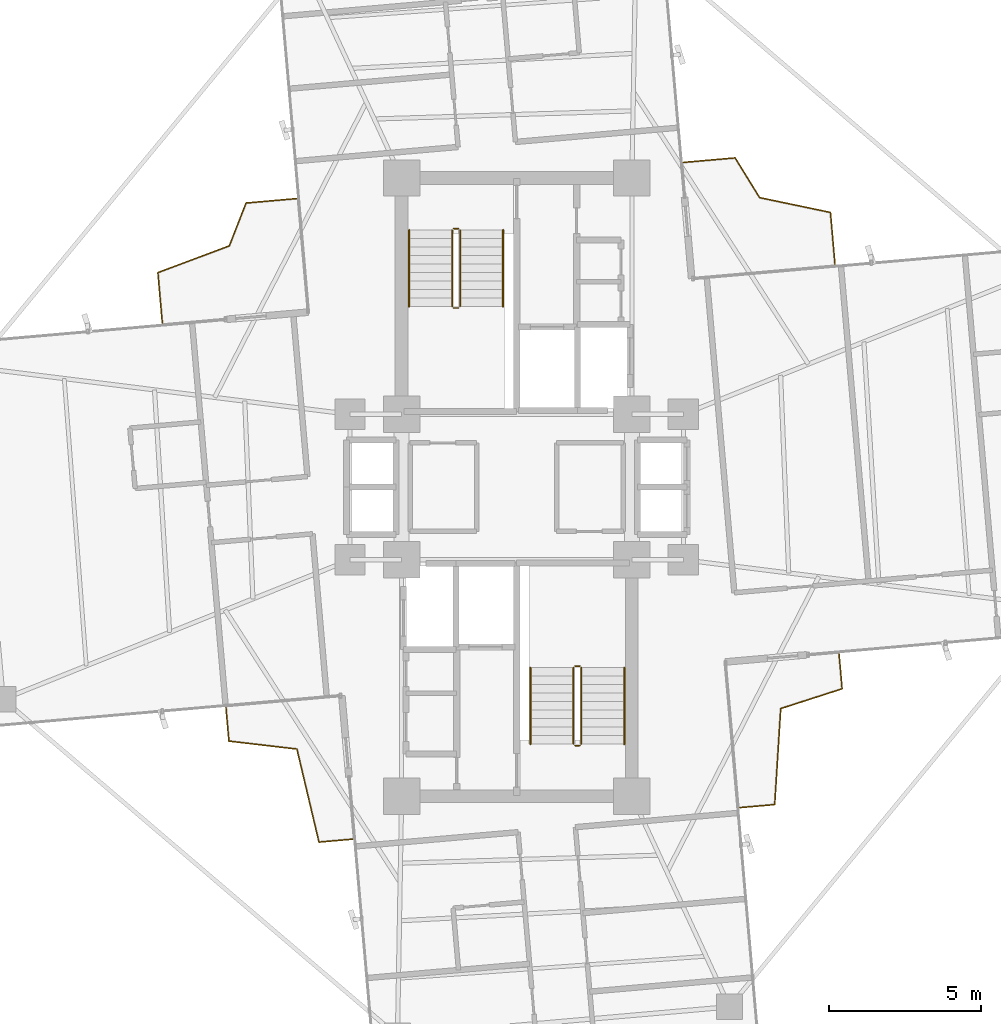
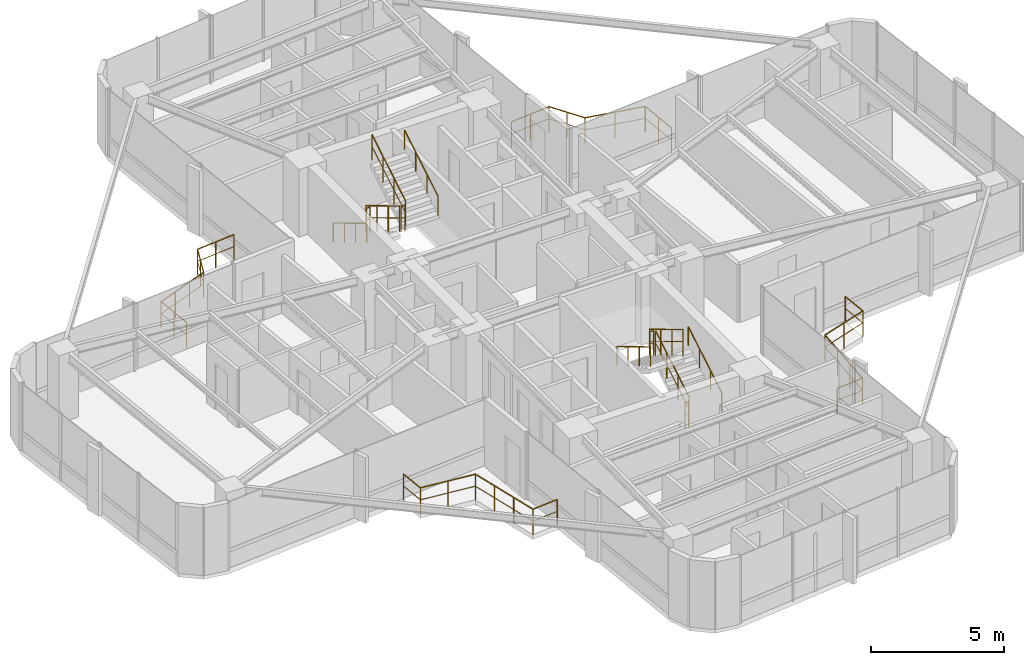
# One storey, part 24 of 24: 16 railings.
"""IFC4 building model written with IfcOpenShell, lengths in metres."""

from ifc_helpers import new_model, si_unit, direction, frame, origin, origin_2d, place, context, subcontext, project, spatial, circle, extrude, material, type_object, element, save


model = new_model("IFC4")

# Units and contexts
model_context = context("Model", 3, precision=1e-05, world=origin(), true_north=direction((0.0, 1.0)))
body_context = subcontext(model_context, "Body", "Model", "MODEL_VIEW")
ifc_project = project(units=[si_unit("LENGTHUNIT", "METRE"), si_unit("AREAUNIT", "SQUARE_METRE"), si_unit("VOLUMEUNIT", "CUBIC_METRE"), si_unit("PLANEANGLEUNIT", "RADIAN"), si_unit("MASSUNIT", "GRAM", prefix="KILO")], contexts=[model_context])

# Site, building, storey
site_placement = place(None, origin())
site = spatial("IfcSite", under=ifc_project, at=site_placement, CompositionType="ELEMENT")
building_placement = place(site_placement, origin())
building = spatial("IfcBuilding", under=site, at=building_placement, Name="Sahyath Konkavel Grand Hotel", CompositionType="ELEMENT")
storey_placement = place(building_placement, frame((0.0, 0.0, 181.89990234375)))
storey = spatial("IfcBuildingStorey", under=building, at=storey_placement, Name="L50", CompositionType="ELEMENT", Elevation=181.89990234375)

# Railings
ifc_material_1 = material(Name="Anodised Bronze Aluminium", Category="aluminium")
railing_type_1 = type_object("IfcRailingType", Name="RLG-BALC-1200", PredefinedType="GUARDRAIL", material=ifc_material_1)
railing_1_placement = place(storey_placement, frame((10.504150390625, 7.353515625, 0.0)))
element("IfcRailing", 1, at=railing_1_placement, inside=storey, type_object=railing_type_1, Name="L50 Winter-Garden Guard NE", PredefinedType="GUARDRAIL", context=body_context, shape_type="SweptSolid", body=[
    extrude(circle(Radius=0.02392578125, at=origin_2d()), frame((-0.000244140625, 0.001953125, 1.17578125), z_axis=(-0.087163422501, 0.996194026171, 0.0), x_axis=(-0.996194026171, -0.087163422501, 0.0)), (0.0, 0.0, 1.0), 1.712890625),
    extrude(circle(Radius=0.01416015625, at=origin_2d()), frame((-0.000244140625, 0.001953125, 0.6240234375), z_axis=(-0.087163422501, 0.996194026171, 0.0), x_axis=(-0.996194026171, -0.087163422501, 0.0)), (0.0, 0.0, 1.0), 1.712890625),
    extrude(circle(Radius=0.02392578125, at=origin_2d()), frame((-0.151611328125, 1.7109375, 1.17578125), z_axis=(-0.978829681282, 0.204676464308, 0.0), x_axis=(-0.204676464308, -0.978829681282, 0.0)), (0.0, 0.0, 1.0), 2.38525390625),
    extrude(circle(Radius=0.01416015625, at=origin_2d()), frame((-0.151611328125, 1.7109375, 0.6240234375), z_axis=(-0.978829681282, 0.204676464308, 0.0), x_axis=(-0.204676464308, -0.978829681282, 0.0)), (0.0, 0.0, 1.0), 2.38525390625),
    extrude(circle(Radius=0.02392578125, at=origin_2d()), frame((-2.4892578125, 2.201171875, 1.17578125), z_axis=(-0.524689685964, 0.851293564784, 0.0), x_axis=(-0.851293564784, -0.524689685964, 0.0)), (0.0, 0.0, 1.0), 1.53662109375),
    extrude(circle(Radius=0.01416015625, at=origin_2d()), frame((-2.4892578125, 2.201171875, 0.6240234375), z_axis=(-0.524689685964, 0.851293564784, 0.0), x_axis=(-0.851293564784, -0.524689685964, 0.0)), (0.0, 0.0, 1.0), 1.53662109375),
    extrude(circle(Radius=0.02392578125, at=origin_2d()), frame((-3.298583984375, 3.5107421875, 1.17578125), z_axis=(-0.996194026171, -0.087163422501, 0.0), x_axis=(0.087163422501, -0.996194026171, 0.0)), (0.0, 0.0, 1.0), 1.712890625),
    extrude(circle(Radius=0.01416015625, at=origin_2d()), frame((-3.298583984375, 3.5107421875, 0.6240234375), z_axis=(-0.996194026171, -0.087163422501, 0.0), x_axis=(0.087163422501, -0.996194026171, 0.0)), (0.0, 0.0, 1.0), 1.712890625),
    extrude(circle(Radius=0.02099609375, at=origin_2d()), origin(), (0.0, 0.0, 1.0), 1.15185546875),
    extrude(circle(Radius=0.02099609375, at=origin_2d()), frame((-0.07470703125, 0.855224609375, 0.0)), (0.0, 0.0, 1.0), 1.15185546875),
    extrude(circle(Radius=0.02099609375, at=origin_2d()), frame((-0.149658203125, 1.71044921875, 0.0)), (0.0, 0.0, 1.0), 1.15185546875),
    extrude(circle(Radius=0.02099609375, at=origin_2d()), frame((-1.31884765625, 1.955078125, 0.0)), (0.0, 0.0, 1.0), 1.15185546875),
    extrude(circle(Radius=0.02099609375, at=origin_2d()), frame((-2.48828125, 2.199462890625, 0.0)), (0.0, 0.0, 1.0), 1.15185546875),
    extrude(circle(Radius=0.02099609375, at=origin_2d()), frame((-2.892578125, 2.855224609375, 0.0)), (0.0, 0.0, 1.0), 1.15185546875),
    extrude(circle(Radius=0.02099609375, at=origin_2d()), frame((-3.296630859375, 3.510986328125, 0.0)), (0.0, 0.0, 1.0), 1.15185546875),
    extrude(circle(Radius=0.02099609375, at=origin_2d()), frame((-4.15185546875, 3.43603515625, 0.0)), (0.0, 0.0, 1.0), 1.15185546875),
    extrude(circle(Radius=0.02099609375, at=origin_2d()), frame((-5.007080078125, 3.361328125, 0.0)), (0.0, 0.0, 1.0), 1.15185546875),
])
railing_2_placement = place(storey_placement, frame((-7.267578125, 9.52099609375, 0.0)))
element("IfcRailing", 2, at=railing_2_placement, inside=storey, type_object=railing_type_1, Name="L50 Winter-Garden Guard NW", PredefinedType="GUARDRAIL", context=body_context, shape_type="SweptSolid", body=[
    extrude(circle(Radius=0.02392578125, at=origin_2d()), frame((-0.001953125, -0.000244140625, 1.17578125), z_axis=(-0.996184524255, -0.087271952169, 0.0), x_axis=(0.087271952169, -0.996184524255, 0.0)), (0.0, 0.0, 1.0), 1.6689453125),
    extrude(circle(Radius=0.01416015625, at=origin_2d()), frame((-0.001953125, -0.000244140625, 0.6240234375), z_axis=(-0.996184524255, -0.087271952169, 0.0), x_axis=(0.087271952169, -0.996184524255, 0.0)), (0.0, 0.0, 1.0), 1.6689453125),
    extrude(circle(Radius=0.02392578125, at=origin_2d()), frame((-1.667236328125, -0.14794921875, 1.17578125), z_axis=(-0.36395077172, -0.931418185223, 0.0), x_axis=(0.931418185223, -0.36395077172, 0.0)), (0.0, 0.0, 1.0), 1.5146484375),
    extrude(circle(Radius=0.01416015625, at=origin_2d()), frame((-1.667236328125, -0.14794921875, 0.6240234375), z_axis=(-0.36395077172, -0.931418185223, 0.0), x_axis=(0.931418185223, -0.36395077172, 0.0)), (0.0, 0.0, 1.0), 1.5146484375),
    extrude(circle(Radius=0.02392578125, at=origin_2d()), frame((-2.22119140625, -1.561279296875, 1.17578125), z_axis=(-0.936476578921, -0.350730120081, 0.0), x_axis=(0.350730120081, -0.936476578921, 0.0)), (0.0, 0.0, 1.0), 2.51318359375),
    extrude(circle(Radius=0.01416015625, at=origin_2d()), frame((-2.22119140625, -1.561279296875, 0.6240234375), z_axis=(-0.936476578921, -0.350730120081, 0.0), x_axis=(0.350730120081, -0.936476578921, 0.0)), (0.0, 0.0, 1.0), 2.51318359375),
    extrude(circle(Radius=0.02392578125, at=origin_2d()), frame((-4.576171875, -2.4453125, 1.17578125), z_axis=(0.087259266157, -0.996185635547, 0.0), x_axis=(0.996185635547, 0.087259266157, 0.0)), (0.0, 0.0, 1.0), 1.669189453125),
    extrude(circle(Radius=0.01416015625, at=origin_2d()), frame((-4.576171875, -2.4453125, 0.6240234375), z_axis=(0.087259266157, -0.996185635547, 0.0), x_axis=(0.996185635547, 0.087259266157, 0.0)), (0.0, 0.0, 1.0), 1.669189453125),
    extrude(circle(Radius=0.02099609375, at=origin_2d()), origin(), (0.0, 0.0, 1.0), 1.15185546875),
    extrude(circle(Radius=0.02099609375, at=origin_2d()), frame((-0.833251953125, -0.072998046875, 0.0)), (0.0, 0.0, 1.0), 1.15185546875),
    extrude(circle(Radius=0.02099609375, at=origin_2d()), frame((-1.66650390625, -0.14599609375, 0.0)), (0.0, 0.0, 1.0), 1.15185546875),
    extrude(circle(Radius=0.02099609375, at=origin_2d()), frame((-1.94287109375, -0.853271484375, 0.0)), (0.0, 0.0, 1.0), 1.15185546875),
    extrude(circle(Radius=0.02099609375, at=origin_2d()), frame((-2.21923828125, -1.560546875, 0.0)), (0.0, 0.0, 1.0), 1.15185546875),
    extrude(circle(Radius=0.02099609375, at=origin_2d()), frame((-3.0048828125, -1.854736328125, 0.0)), (0.0, 0.0, 1.0), 1.15185546875),
    extrude(circle(Radius=0.02099609375, at=origin_2d()), frame((-3.790771484375, -2.149169921875, 0.0)), (0.0, 0.0, 1.0), 1.15185546875),
    extrude(circle(Radius=0.02099609375, at=origin_2d()), frame((-4.576416015625, -2.443359375, 0.0)), (0.0, 0.0, 1.0), 1.15185546875),
    extrude(circle(Radius=0.02099609375, at=origin_2d()), frame((-4.50341796875, -3.27685546875, 0.0)), (0.0, 0.0, 1.0), 1.15185546875),
    extrude(circle(Radius=0.02099609375, at=origin_2d()), frame((-4.430419921875, -4.110107421875, 0.0)), (0.0, 0.0, 1.0), 1.15185546875),
])
railing_3_placement = place(storey_placement, frame((-9.59765625, -7.274169921875, 0.0)))
element("IfcRailing", 3, at=railing_3_placement, inside=storey, type_object=railing_type_1, Name="L50 Winter-Garden Guard SW", PredefinedType="GUARDRAIL", context=body_context, shape_type="SweptSolid", body=[
    extrude(circle(Radius=0.02392578125, at=origin_2d()), frame((0.000244140625, -0.001953125, 1.17578125), z_axis=(0.087139790168, -0.996196093633, 0.0), x_axis=(0.996196093633, 0.087139790168, 0.0)), (0.0, 0.0, 1.0), 1.111083984375),
    extrude(circle(Radius=0.01416015625, at=origin_2d()), frame((0.000244140625, -0.001953125, 0.6240234375), z_axis=(0.087139790168, -0.996196093633, 0.0), x_axis=(0.996196093633, 0.087139790168, 0.0)), (0.0, 0.0, 1.0), 1.111083984375),
    extrude(circle(Radius=0.02392578125, at=origin_2d()), frame((0.09912109375, -1.111083984375, 1.17578125), z_axis=(0.99324613461, -0.116026359427, 0.0), x_axis=(0.116026359427, 0.99324613461, 0.0)), (0.0, 0.0, 1.0), 2.255859375),
    extrude(circle(Radius=0.01416015625, at=origin_2d()), frame((0.09912109375, -1.111083984375, 0.6240234375), z_axis=(0.99324613461, -0.116026359427, 0.0), x_axis=(0.116026359427, 0.99324613461, 0.0)), (0.0, 0.0, 1.0), 2.255859375),
    extrude(circle(Radius=0.02392578125, at=origin_2d()), frame((2.34228515625, -1.375, 1.17578125), z_axis=(0.230431689446, -0.973088503939, 0.0), x_axis=(0.973088503939, 0.230431689446, 0.0)), (0.0, 0.0, 1.0), 3.15234375),
    extrude(circle(Radius=0.01416015625, at=origin_2d()), frame((2.34228515625, -1.375, 0.6240234375), z_axis=(0.230431689446, -0.973088503939, 0.0), x_axis=(0.973088503939, 0.230431689446, 0.0)), (0.0, 0.0, 1.0), 3.15234375),
    extrude(circle(Radius=0.02392578125, at=origin_2d()), frame((3.071044921875, -4.444091796875, 1.17578125), z_axis=(0.996196093633, 0.087139790168, 0.0), x_axis=(-0.087139790168, 0.996196093633, 0.0)), (0.0, 0.0, 1.0), 1.111083984375),
    extrude(circle(Radius=0.01416015625, at=origin_2d()), frame((3.071044921875, -4.444091796875, 0.6240234375), z_axis=(0.996196093633, 0.087139790168, 0.0), x_axis=(-0.087139790168, 0.996196093633, 0.0)), (0.0, 0.0, 1.0), 1.111083984375),
    extrude(circle(Radius=0.02099609375, at=origin_2d()), origin(), (0.0, 0.0, 1.0), 1.15185546875),
    extrude(circle(Radius=0.02099609375, at=origin_2d()), frame((0.09716796875, -1.11083984375, 0.0)), (0.0, 0.0, 1.0), 1.15185546875),
    extrude(circle(Radius=0.02099609375, at=origin_2d()), frame((1.219482421875, -1.241943359375, 0.0)), (0.0, 0.0, 1.0), 1.15185546875),
    extrude(circle(Radius=0.02099609375, at=origin_2d()), frame((2.341796875, -1.373046875, 0.0)), (0.0, 0.0, 1.0), 1.15185546875),
    extrude(circle(Radius=0.02099609375, at=origin_2d()), frame((2.584228515625, -2.396728515625, 0.0)), (0.0, 0.0, 1.0), 1.15185546875),
    extrude(circle(Radius=0.02099609375, at=origin_2d()), frame((2.82666015625, -3.420654296875, 0.0)), (0.0, 0.0, 1.0), 1.15185546875),
    extrude(circle(Radius=0.02099609375, at=origin_2d()), frame((3.069091796875, -4.4443359375, 0.0)), (0.0, 0.0, 1.0), 1.15185546875),
    extrude(circle(Radius=0.02099609375, at=origin_2d()), frame((4.179931640625, -4.34716796875, 0.0)), (0.0, 0.0, 1.0), 1.15185546875),
])
railing_4_placement = place(storey_placement, frame((7.360107421875, -10.580810546875, 0.0)))
element("IfcRailing", 4, at=railing_4_placement, inside=storey, type_object=railing_type_1, Name="L50 Winter-Garden Guard SE", PredefinedType="GUARDRAIL", context=body_context, shape_type="SweptSolid", body=[
    extrude(circle(Radius=0.02392578125, at=origin_2d()), frame((0.001953125, 0.000244140625, 1.17578125), z_axis=(0.996189829391, 0.087211374364, 0.0), x_axis=(-0.087211374364, 0.996189829391, 0.0)), (0.0, 0.0, 1.0), 1.155029296875),
    extrude(circle(Radius=0.01416015625, at=origin_2d()), frame((0.001953125, 0.000244140625, 0.6240234375), z_axis=(0.996189829391, 0.087211374364, 0.0), x_axis=(-0.087211374364, 0.996189829391, 0.0)), (0.0, 0.0, 1.0), 1.155029296875),
    extrude(circle(Radius=0.02392578125, at=origin_2d()), frame((1.15478515625, 0.10302734375, 1.17578125), z_axis=(0.062598518624, 0.99803878956, 0.0), x_axis=(-0.99803878956, 0.062598518624, 0.0)), (0.0, 0.0, 1.0), 3.170654296875),
    extrude(circle(Radius=0.01416015625, at=origin_2d()), frame((1.15478515625, 0.10302734375, 0.6240234375), z_axis=(0.062598518624, 0.99803878956, 0.0), x_axis=(-0.99803878956, 0.062598518624, 0.0)), (0.0, 0.0, 1.0), 3.170654296875),
    extrude(circle(Radius=0.02392578125, at=origin_2d()), frame((1.355224609375, 3.270263671875, 1.17578125), z_axis=(0.951768057187, 0.306818456613, 0.0), x_axis=(-0.306818456613, 0.951768057187, 0.0)), (0.0, 0.0, 1.0), 2.12451171875),
    extrude(circle(Radius=0.01416015625, at=origin_2d()), frame((1.355224609375, 3.270263671875, 0.6240234375), z_axis=(0.951768057187, 0.306818456613, 0.0), x_axis=(-0.306818456613, 0.951768057187, 0.0)), (0.0, 0.0, 1.0), 2.12451171875),
    extrude(circle(Radius=0.02392578125, at=origin_2d()), frame((3.37890625, 3.924560546875, 1.17578125), z_axis=(-0.087229679747, 0.996188226678, 0.0), x_axis=(-0.996188226678, -0.087229679747, 0.0)), (0.0, 0.0, 1.0), 1.15478515625),
    extrude(circle(Radius=0.01416015625, at=origin_2d()), frame((3.37890625, 3.924560546875, 0.6240234375), z_axis=(-0.087229679747, 0.996188226678, 0.0), x_axis=(-0.996188226678, -0.087229679747, 0.0)), (0.0, 0.0, 1.0), 1.15478515625),
    extrude(circle(Radius=0.02099609375, at=origin_2d()), origin(), (0.0, 0.0, 1.0), 1.15185546875),
    extrude(circle(Radius=0.02099609375, at=origin_2d()), frame((1.154541015625, 0.10107421875, 0.0)), (0.0, 0.0, 1.0), 1.15185546875),
    extrude(circle(Radius=0.02099609375, at=origin_2d()), frame((1.220703125, 1.1572265625, 0.0)), (0.0, 0.0, 1.0), 1.15185546875),
    extrude(circle(Radius=0.02099609375, at=origin_2d()), frame((1.287109375, 2.21337890625, 0.0)), (0.0, 0.0, 1.0), 1.15185546875),
    extrude(circle(Radius=0.02099609375, at=origin_2d()), frame((1.353271484375, 3.26953125, 0.0)), (0.0, 0.0, 1.0), 1.15185546875),
    extrude(circle(Radius=0.02099609375, at=origin_2d()), frame((2.3662109375, 3.59619140625, 0.0)), (0.0, 0.0, 1.0), 1.15185546875),
    extrude(circle(Radius=0.02099609375, at=origin_2d()), frame((3.379150390625, 3.922607421875, 0.0)), (0.0, 0.0, 1.0), 1.15185546875),
    extrude(circle(Radius=0.02099609375, at=origin_2d()), frame((3.278076171875, 5.076904296875, 0.0)), (0.0, 0.0, 1.0), 1.15185546875),
])
ifc_material_2 = material(Name="Steel E350", Category="steel")
railing_type_2 = type_object("IfcRailingType", Name="RLG-STAIR-GRD", PredefinedType="GUARDRAIL", material=ifc_material_2)
railing_5_placement = place(storey_placement, frame((-2.1298828125, 8.47998046875, 0.16748046875)))
element("IfcRailing", 5, at=railing_5_placement, inside=storey, type_object=railing_type_2, Name="L50 ST-1 stair guard 1", PredefinedType="GUARDRAIL", context=body_context, shape_type="SweptSolid", body=[
    extrude(circle(Radius=0.02392578125, at=origin_2d()), frame((0.0, -0.001708984375, 1.177001953125), z_axis=(0.0, -0.858159760407, 0.513382728203), x_axis=(1.0, 0.0, 0.0)), (0.0, 0.0, 1.0), 2.9326171875),
    extrude(circle(Radius=0.01416015625, at=origin_2d()), frame((0.0, -0.001708984375, 0.625), z_axis=(0.0, -0.858159760407, 0.513382728203), x_axis=(1.0, 0.0, 0.0)), (0.0, 0.0, 1.0), 2.9326171875),
    extrude(circle(Radius=0.02099609375, at=origin_2d()), origin(), (0.0, 0.0, 1.0), 1.15185546875),
    extrude(circle(Radius=0.02099609375, at=origin_2d()), frame((0.0, -0.840087890625, 0.50244140625)), (0.0, 0.0, 1.0), 1.15185546875),
    extrude(circle(Radius=0.02099609375, at=origin_2d()), frame((0.0, -1.679931640625, 1.005126953125)), (0.0, 0.0, 1.0), 1.15185546875),
    extrude(circle(Radius=0.02099609375, at=origin_2d()), frame((0.0, -2.52001953125, 1.507568359375)), (0.0, 0.0, 1.0), 1.15185546875),
])
railing_6_placement = place(storey_placement, frame((-2.080078125, 5.909912109375, 1.675048828125)))
element("IfcRailing", 6, at=railing_6_placement, inside=storey, type_object=railing_type_2, Name="L50 ST-1 stair guard 2", PredefinedType="GUARDRAIL", context=body_context, shape_type="SweptSolid", body=[
    extrude(circle(Radius=0.02392578125, at=origin_2d()), frame((0.001953125, 0.0, 1.17578125), z_axis=(1.0, 0.0, 0.0), x_axis=(0.0, 1.0, 0.0)), (0.0, 0.0, 1.0), 0.15625),
    extrude(circle(Radius=0.01416015625, at=origin_2d()), frame((0.001953125, 0.0, 0.6240234375), z_axis=(1.0, 0.0, 0.0), x_axis=(0.0, 1.0, 0.0)), (0.0, 0.0, 1.0), 0.15625),
    extrude(circle(Radius=0.02099609375, at=origin_2d()), origin(), (0.0, 0.0, 1.0), 1.15185546875),
    extrude(circle(Radius=0.02099609375, at=origin_2d()), frame((0.16015625, 0.0, 0.0)), (0.0, 0.0, 1.0), 1.15185546875),
])
railing_7_placement = place(storey_placement, frame((-1.8701171875, 5.9599609375, 1.842529296875)))
element("IfcRailing", 7, at=railing_7_placement, inside=storey, type_object=railing_type_2, Name="L50 ST-1 stair guard 3", PredefinedType="GUARDRAIL", context=body_context, shape_type="SweptSolid", body=[
    extrude(circle(Radius=0.02392578125, at=origin_2d()), frame((0.0, 0.001708984375, 1.177001953125), z_axis=(0.0, 0.858159760407, 0.513382728203), x_axis=(-1.0, 0.0, 0.0)), (0.0, 0.0, 1.0), 2.9326171875),
    extrude(circle(Radius=0.01416015625, at=origin_2d()), frame((0.0, 0.001708984375, 0.625), z_axis=(0.0, 0.858159760407, 0.513382728203), x_axis=(-1.0, 0.0, 0.0)), (0.0, 0.0, 1.0), 2.9326171875),
    extrude(circle(Radius=0.02099609375, at=origin_2d()), origin(), (0.0, 0.0, 1.0), 1.15185546875),
    extrude(circle(Radius=0.02099609375, at=origin_2d()), frame((0.0, 0.840087890625, 0.50244140625)), (0.0, 0.0, 1.0), 1.15185546875),
    extrude(circle(Radius=0.02099609375, at=origin_2d()), frame((0.0, 1.679931640625, 1.005126953125)), (0.0, 0.0, 1.0), 1.15185546875),
    extrude(circle(Radius=0.02099609375, at=origin_2d()), frame((0.0, 2.52001953125, 1.507568359375)), (0.0, 0.0, 1.0), 1.15185546875),
])
railing_8_placement = place(storey_placement, frame((-2.080078125, 8.530029296875, 0.0)))
element("IfcRailing", 8, at=railing_8_placement, inside=storey, type_object=railing_type_2, Name="L50 ST-1 stair guard 4", PredefinedType="GUARDRAIL", context=body_context, shape_type="SweptSolid", body=[
    extrude(circle(Radius=0.02392578125, at=origin_2d()), frame((0.001953125, 0.0, 1.17578125), z_axis=(1.0, 0.0, 0.0), x_axis=(0.0, 1.0, 0.0)), (0.0, 0.0, 1.0), 0.15625),
    extrude(circle(Radius=0.01416015625, at=origin_2d()), frame((0.001953125, 0.0, 0.6240234375), z_axis=(1.0, 0.0, 0.0), x_axis=(0.0, 1.0, 0.0)), (0.0, 0.0, 1.0), 0.15625),
    extrude(circle(Radius=0.02099609375, at=origin_2d()), origin(), (0.0, 0.0, 1.0), 1.15185546875),
    extrude(circle(Radius=0.02099609375, at=origin_2d()), frame((0.16015625, 0.0, 0.0)), (0.0, 0.0, 1.0), 1.15185546875),
])
railing_9_placement = place(storey_placement, frame((2.1298828125, -8.47998046875, 0.16748046875)))
element("IfcRailing", 9, at=railing_9_placement, inside=storey, type_object=railing_type_2, Name="L50 ST-2 stair guard 1", PredefinedType="GUARDRAIL", context=body_context, shape_type="SweptSolid", body=[
    extrude(circle(Radius=0.02392578125, at=origin_2d()), frame((0.0, 0.001708984375, 1.177001953125), z_axis=(0.0, 0.858159760407, 0.513382728203), x_axis=(-1.0, 0.0, 0.0)), (0.0, 0.0, 1.0), 2.9326171875),
    extrude(circle(Radius=0.01416015625, at=origin_2d()), frame((0.0, 0.001708984375, 0.625), z_axis=(0.0, 0.858159760407, 0.513382728203), x_axis=(-1.0, 0.0, 0.0)), (0.0, 0.0, 1.0), 2.9326171875),
    extrude(circle(Radius=0.02099609375, at=origin_2d()), origin(), (0.0, 0.0, 1.0), 1.15185546875),
    extrude(circle(Radius=0.02099609375, at=origin_2d()), frame((0.0, 0.840087890625, 0.50244140625)), (0.0, 0.0, 1.0), 1.15185546875),
    extrude(circle(Radius=0.02099609375, at=origin_2d()), frame((0.0, 1.679931640625, 1.005126953125)), (0.0, 0.0, 1.0), 1.15185546875),
    extrude(circle(Radius=0.02099609375, at=origin_2d()), frame((0.0, 2.52001953125, 1.507568359375)), (0.0, 0.0, 1.0), 1.15185546875),
])
railing_10_placement = place(storey_placement, frame((2.080078125, -5.909912109375, 1.675048828125)))
element("IfcRailing", 10, at=railing_10_placement, inside=storey, type_object=railing_type_2, Name="L50 ST-2 stair guard 2", PredefinedType="GUARDRAIL", context=body_context, shape_type="SweptSolid", body=[
    extrude(circle(Radius=0.02392578125, at=origin_2d()), frame((-0.001953125, 0.0, 1.17578125), z_axis=(-1.0, 0.0, 0.0), x_axis=(0.0, -1.0, 0.0)), (0.0, 0.0, 1.0), 0.15625),
    extrude(circle(Radius=0.01416015625, at=origin_2d()), frame((-0.001953125, 0.0, 0.6240234375), z_axis=(-1.0, 0.0, 0.0), x_axis=(0.0, -1.0, 0.0)), (0.0, 0.0, 1.0), 0.15625),
    extrude(circle(Radius=0.02099609375, at=origin_2d()), origin(), (0.0, 0.0, 1.0), 1.15185546875),
    extrude(circle(Radius=0.02099609375, at=origin_2d()), frame((-0.16015625, 0.0, 0.0)), (0.0, 0.0, 1.0), 1.15185546875),
])
railing_11_placement = place(storey_placement, frame((1.8701171875, -5.9599609375, 1.842529296875)))
element("IfcRailing", 11, at=railing_11_placement, inside=storey, type_object=railing_type_2, Name="L50 ST-2 stair guard 3", PredefinedType="GUARDRAIL", context=body_context, shape_type="SweptSolid", body=[
    extrude(circle(Radius=0.02392578125, at=origin_2d()), frame((0.0, -0.001708984375, 1.177001953125), z_axis=(0.0, -0.858159760407, 0.513382728203), x_axis=(1.0, 0.0, 0.0)), (0.0, 0.0, 1.0), 2.9326171875),
    extrude(circle(Radius=0.01416015625, at=origin_2d()), frame((0.0, -0.001708984375, 0.625), z_axis=(0.0, -0.858159760407, 0.513382728203), x_axis=(1.0, 0.0, 0.0)), (0.0, 0.0, 1.0), 2.9326171875),
    extrude(circle(Radius=0.02099609375, at=origin_2d()), origin(), (0.0, 0.0, 1.0), 1.15185546875),
    extrude(circle(Radius=0.02099609375, at=origin_2d()), frame((0.0, -0.840087890625, 0.50244140625)), (0.0, 0.0, 1.0), 1.15185546875),
    extrude(circle(Radius=0.02099609375, at=origin_2d()), frame((0.0, -1.679931640625, 1.005126953125)), (0.0, 0.0, 1.0), 1.15185546875),
    extrude(circle(Radius=0.02099609375, at=origin_2d()), frame((0.0, -2.52001953125, 1.507568359375)), (0.0, 0.0, 1.0), 1.15185546875),
])
railing_12_placement = place(storey_placement, frame((2.080078125, -8.530029296875, 0.0)))
element("IfcRailing", 12, at=railing_12_placement, inside=storey, type_object=railing_type_2, Name="L50 ST-2 stair guard 4", PredefinedType="GUARDRAIL", context=body_context, shape_type="SweptSolid", body=[
    extrude(circle(Radius=0.02392578125, at=origin_2d()), frame((-0.001953125, 0.0, 1.17578125), z_axis=(-1.0, 0.0, 0.0), x_axis=(0.0, -1.0, 0.0)), (0.0, 0.0, 1.0), 0.15625),
    extrude(circle(Radius=0.01416015625, at=origin_2d()), frame((-0.001953125, 0.0, 0.6240234375), z_axis=(-1.0, 0.0, 0.0), x_axis=(0.0, -1.0, 0.0)), (0.0, 0.0, 1.0), 0.15625),
    extrude(circle(Radius=0.02099609375, at=origin_2d()), origin(), (0.0, 0.0, 1.0), 1.15185546875),
    extrude(circle(Radius=0.02099609375, at=origin_2d()), frame((-0.16015625, 0.0, 0.0)), (0.0, 0.0, 1.0), 1.15185546875),
])
railing_type_3 = type_object("IfcRailingType", Name="RLG-STAIR-HND", PredefinedType="HANDRAIL", material=ifc_material_1)
railing_13_placement = place(storey_placement, frame((-3.550048828125, 8.47998046875, 0.16748046875)))
element("IfcRailing", 13, at=railing_13_placement, inside=storey, type_object=railing_type_3, Name="L50 ST-1 stair handrail 1", PredefinedType="HANDRAIL", context=body_context, shape_type="SweptSolid", body=[
    extrude(circle(Radius=0.02392578125, at=origin_2d()), frame((0.0, -0.001708984375, 0.876953125), z_axis=(0.0, -0.858159760407, 0.513382728203), x_axis=(1.0, 0.0, 0.0)), (0.0, 0.0, 1.0), 2.9326171875),
    extrude(circle(Radius=0.02099609375, at=origin_2d()), origin(), (0.0, 0.0, 1.0), 0.851806640625),
    extrude(circle(Radius=0.02099609375, at=origin_2d()), frame((0.0, -0.840087890625, 0.50244140625)), (0.0, 0.0, 1.0), 0.851806640625),
    extrude(circle(Radius=0.02099609375, at=origin_2d()), frame((0.0, -1.679931640625, 1.005126953125)), (0.0, 0.0, 1.0), 0.851806640625),
    extrude(circle(Radius=0.02099609375, at=origin_2d()), frame((0.0, -2.52001953125, 1.507568359375)), (0.0, 0.0, 1.0), 0.851806640625),
])
for number, where, name in (
    (14, (-0.449951171875, 5.9599609375, 1.842529296875), "L50 ST-1 stair handrail 2"),
    (15, (3.550048828125, -8.47998046875, 0.16748046875), "L50 ST-2 stair handrail 1"),
):
    element("IfcRailing", number, at=place(storey_placement, frame(where)), inside=storey, type_object=railing_type_3, Name=name, PredefinedType="HANDRAIL", context=body_context, shape_type="SweptSolid", body=[
        extrude(circle(Radius=0.02392578125, at=origin_2d()), frame((0.0, 0.001708984375, 0.876953125), z_axis=(0.0, 0.858159760407, 0.513382728203), x_axis=(-1.0, 0.0, 0.0)), (0.0, 0.0, 1.0), 2.9326171875),
        extrude(circle(Radius=0.02099609375, at=origin_2d()), origin(), (0.0, 0.0, 1.0), 0.851806640625),
        extrude(circle(Radius=0.02099609375, at=origin_2d()), frame((0.0, 0.840087890625, 0.50244140625)), (0.0, 0.0, 1.0), 0.851806640625),
        extrude(circle(Radius=0.02099609375, at=origin_2d()), frame((0.0, 1.679931640625, 1.005126953125)), (0.0, 0.0, 1.0), 0.851806640625),
        extrude(circle(Radius=0.02099609375, at=origin_2d()), frame((0.0, 2.52001953125, 1.507568359375)), (0.0, 0.0, 1.0), 0.851806640625),
    ])
railing_14_placement = place(storey_placement, frame((0.449951171875, -5.9599609375, 1.842529296875)))
element("IfcRailing", 16, at=railing_14_placement, inside=storey, type_object=railing_type_3, Name="L50 ST-2 stair handrail 2", PredefinedType="HANDRAIL", context=body_context, shape_type="SweptSolid", body=[
    extrude(circle(Radius=0.02392578125, at=origin_2d()), frame((0.0, -0.001708984375, 0.876953125), z_axis=(0.0, -0.858159760407, 0.513382728203), x_axis=(1.0, 0.0, 0.0)), (0.0, 0.0, 1.0), 2.9326171875),
    extrude(circle(Radius=0.02099609375, at=origin_2d()), origin(), (0.0, 0.0, 1.0), 0.851806640625),
    extrude(circle(Radius=0.02099609375, at=origin_2d()), frame((0.0, -0.840087890625, 0.50244140625)), (0.0, 0.0, 1.0), 0.851806640625),
    extrude(circle(Radius=0.02099609375, at=origin_2d()), frame((0.0, -1.679931640625, 1.005126953125)), (0.0, 0.0, 1.0), 0.851806640625),
    extrude(circle(Radius=0.02099609375, at=origin_2d()), frame((0.0, -2.52001953125, 1.507568359375)), (0.0, 0.0, 1.0), 0.851806640625),
])

save(model, "model.ifc")
